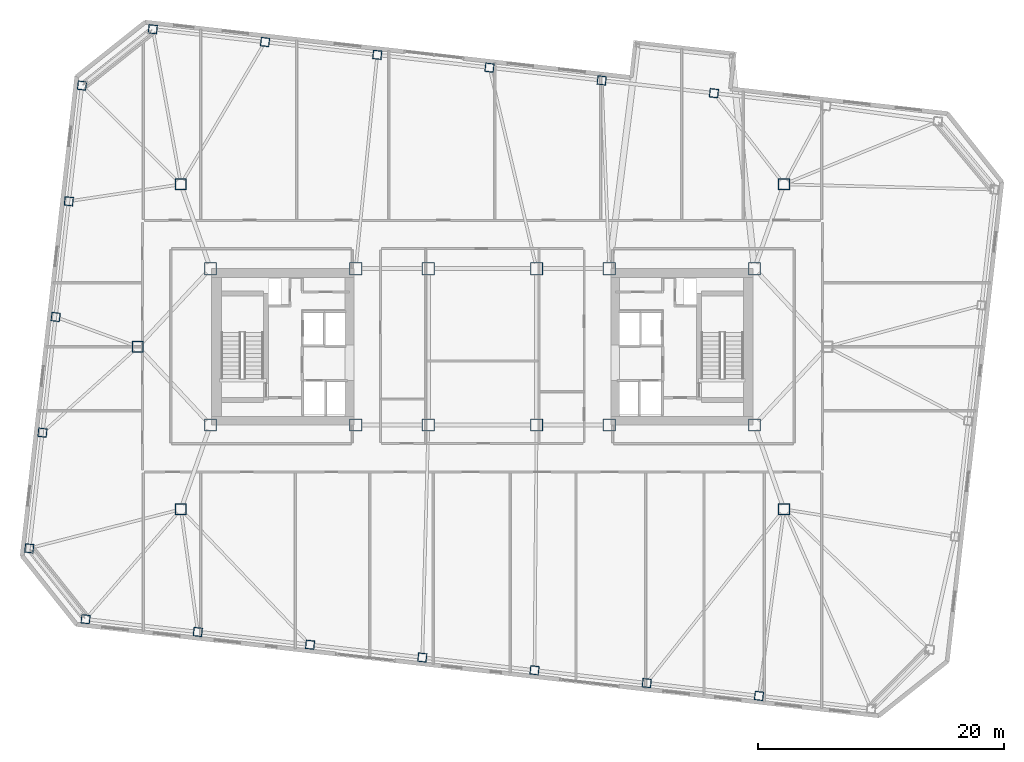
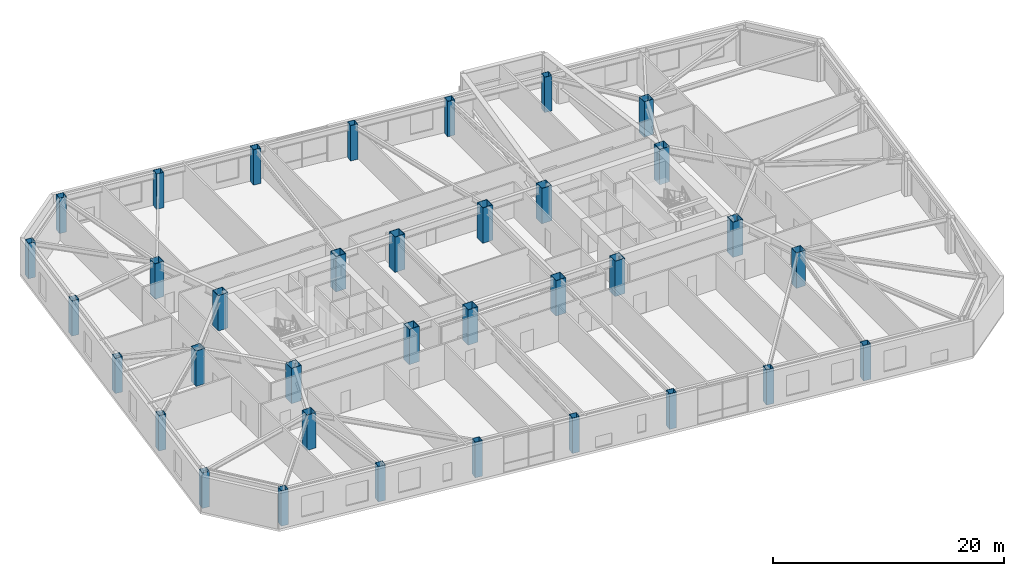
# One storey, part 1 of 22: 35 columns.
"""IFC4 building model written with IfcOpenShell, lengths in metres."""

import ifcopenshell
import ifcopenshell.guid

model = None  # the IFC model being written
_history = None  # IfcOwnerHistory: only IFC2X3 demands one
_inside = {}  # id of a spatial element -> (the spatial element, [elements in it])
_under = {}  # id of a project, library or spatial element -> (it, [spatial elements below it])
_declared = {}  # id of a project -> (the project, [libraries it declares])
_typed = {}  # id of a type object -> (the type object, [elements of that type])
_made_of = {}  # id of a material, layer set ... -> (it, [elements and type objects made of it])


def new_model(schema):
    """Start an empty IFC model of exactly this schema.

    Asked for "IFC4X3", IfcOpenShell would pick the latest addendum, in which some entities
    have other attributes; the version numbers below select the first issue.
    IFC2X3 requires an IfcOwnerHistory on every rooted entity: one is made here for all.
    """
    global model, _history
    if schema == "IFC4X3":
        model = ifcopenshell.file(schema_version=(4, 3, 0, 0))
    else:
        model = ifcopenshell.file(schema=schema)
    _inside.clear()
    _under.clear()
    _declared.clear()
    _typed.clear()
    _made_of.clear()
    _history = None
    if model.schema == "IFC2X3":
        org = make("IfcOrganization", Name="unknown")
        user = make(
            "IfcPersonAndOrganization",
            ThePerson=make("IfcPerson", FamilyName="unknown"),
            TheOrganization=org,
        )
        app = make(
            "IfcApplication",
            ApplicationDeveloper=org,
            Version="unknown",
            ApplicationFullName="unknown",
            ApplicationIdentifier="unknown",
        )
        _history = make(
            "IfcOwnerHistory",
            OwningUser=user,
            OwningApplication=app,
            ChangeAction="ADDED",
            CreationDate=0,
        )
    return model


def make(cls, **values):
    """One entity of the class cls with the attributes given. An attribute that is None is left unset."""
    return model.create_entity(
        cls, **{name: value for name, value in values.items() if value is not None}
    )


def rooted(cls, **values):
    """An entity with a GlobalId (a new one), such as an element, a storey or a relation."""
    return make(cls, GlobalId=ifcopenshell.guid.new(), OwnerHistory=_history, **values)


def si_unit(unit_type, name, prefix=None):
    """IfcSIUnit, for example si_unit("LENGTHUNIT", "METRE", prefix="MILLI")."""
    return make("IfcSIUnit", UnitType=unit_type, Prefix=prefix, Name=name)


def assignment(units):
    """IfcUnitAssignment: the units of a project."""
    return None if units is None else make("IfcUnitAssignment", Units=units)


def point(xyz):
    """IfcCartesianPoint."""
    return None if xyz is None else make("IfcCartesianPoint", Coordinates=xyz)


def direction(xyz):
    """IfcDirection."""
    return None if xyz is None else make("IfcDirection", DirectionRatios=xyz)


def frame(location, z_axis=None, x_axis=None):
    """IfcAxis2Placement3D, a coordinate frame: its origin and axes. An axis left out is left unset."""
    return make(
        "IfcAxis2Placement3D",
        Location=point(location),
        Axis=direction(z_axis),
        RefDirection=direction(x_axis),
    )


def frame_2d(location, x_axis=None):
    """IfcAxis2Placement2D, a coordinate frame in the plane: its origin and x axis."""
    return make(
        "IfcAxis2Placement2D", Location=point(location), RefDirection=direction(x_axis)
    )


def origin():
    """The frame at (0, 0, 0) with its axes left unset."""
    return frame((0.0, 0.0, 0.0))


def origin_2d():
    """The frame at (0, 0) in the plane with its x axis left unset."""
    return frame_2d((0.0, 0.0))


def place(relative_to, where):
    """IfcLocalPlacement: puts the frame where relative to a parent placement (None: the world)."""
    return make(
        "IfcLocalPlacement", PlacementRelTo=relative_to, RelativePlacement=where
    )


def context(
    kind, dimensions, precision=None, world=None, true_north=None, identifier=None
):
    """IfcGeometricRepresentationContext, for example the 3D "Model" context."""
    return make(
        "IfcGeometricRepresentationContext",
        ContextIdentifier=identifier,
        ContextType=kind,
        CoordinateSpaceDimension=dimensions,
        Precision=precision,
        WorldCoordinateSystem=world,
        TrueNorth=true_north,
    )


def subcontext(parent, identifier, kind, view, scale=None):
    """IfcGeometricRepresentationSubContext, for example "Body" below "Model"."""
    return make(
        "IfcGeometricRepresentationSubContext",
        ContextIdentifier=identifier,
        ContextType=kind,
        ParentContext=parent,
        TargetScale=scale,
        TargetView=view,
    )


def project(units=None, contexts=None):
    """IfcProject with its units and contexts."""
    return rooted(
        "IfcProject",
        Name="project",
        RepresentationContexts=contexts,
        UnitsInContext=assignment(units),
    )


def spatial(cls, under=None, at=None, **own):
    """A site, building, storey or space (cls), placed at a placement, below another one or the project."""
    s = rooted(cls, ObjectPlacement=at, **own)
    if under is not None:
        _under.setdefault(under.id(), (under, []))[1].append(s)
    return s


def profile(cls, at=None, kind="AREA", **sizes):
    """A parametric profile (cls). Its sizes go by their IFC names, for example OverallWidth=200.0."""
    return make(cls, ProfileType=kind, Position=at, **sizes)


def hollow_rectangle(**sizes):
    """IfcRectangleHollowProfileDef."""
    return profile("IfcRectangleHollowProfileDef", **sizes)


def extrude(swept, where, along, depth):
    """IfcExtrudedAreaSolid: the profile swept, set in the frame where, extruded along a direction by depth."""
    return make(
        "IfcExtrudedAreaSolid",
        SweptArea=swept,
        Position=where,
        ExtrudedDirection=direction(along),
        Depth=depth,
    )


def shape(context_of_items, identifier, shape_type, items):
    """IfcShapeRepresentation: the items that make up one representation, for example the "Body"."""
    return make(
        "IfcShapeRepresentation",
        ContextOfItems=context_of_items,
        RepresentationIdentifier=identifier,
        RepresentationType=shape_type,
        Items=items,
    )


def material(Name=None, Category=None):
    """IfcMaterial."""
    return make("IfcMaterial", Name=Name, Category=Category)


def material_profile(
    of_material, cross_section, Name=None, Category=None, Priority=None
):
    """IfcMaterialProfile: a cross section and its material."""
    return make(
        "IfcMaterialProfile",
        Name=Name,
        Material=of_material,
        Profile=cross_section,
        Priority=Priority,
        Category=Category,
    )


def profile_set(profiles, Name=None, composite=None):
    """IfcMaterialProfileSet."""
    return make(
        "IfcMaterialProfileSet",
        Name=Name,
        MaterialProfiles=profiles,
        CompositeProfile=composite,
    )


def made_of(thing, what):
    """Note that an element or type object is made of a material, layer set ...; save() writes the relation."""
    if what is not None:
        _made_of.setdefault(what.id(), (what, []))[1].append(thing)
    return thing


def type_object(cls, material=None, **own):
    """A type object (cls), such as IfcWallType, which elements share."""
    return made_of(rooted(cls, **own), material)


def element(
    cls,
    number,
    at=None,
    inside=None,
    cuts=None,
    type_object=None,
    material=None,
    context=None,
    identifier="Body",
    shape_type=None,
    held_by="IfcProductDefinitionShape",
    body=None,
    shapes=None,
    **own,
):
    """One element of the class cls, such as IfcWall. Its Tag is "e" and its number.

    at: its placement. inside: the storey or other place that contains it. cuts: it is an
    opening in that element (IfcRelVoidsElement). A single representation is given by context,
    identifier, shape_type and body (its items); several are given by shapes. held_by: the class
    of the entity that holds the representations. save() writes the other relations.
    """
    e = rooted(cls, Tag="e%d" % number, ObjectPlacement=at, **own)
    if body is not None:
        shapes = [shape(context, identifier, shape_type, body)]
    if shapes is not None:
        e.Representation = make(held_by, Representations=shapes)
    if inside is not None:
        _inside.setdefault(inside.id(), (inside, []))[1].append(e)
    if cuts is not None:
        rooted(
            "IfcRelVoidsElement", RelatingBuildingElement=cuts, RelatedOpeningElement=e
        )
    if type_object is not None:
        _typed.setdefault(type_object.id(), (type_object, []))[1].append(e)
    return made_of(e, material)


def aggregate(whole, parts):
    """IfcRelAggregates: a whole, such as a stair, and the parts it consists of."""
    return rooted("IfcRelAggregates", RelatingObject=whole, RelatedObjects=parts)


def save(model, path):
    """Write the relations noted so far, then the file.

    IfcRelAggregates (storeys below a building ...), IfcRelContainedInSpatialStructure (elements
    in a storey), IfcRelDefinesByType, IfcRelAssociatesMaterial and IfcRelDeclares: one each for
    every whole, place, type object, material and project.
    """
    for whole, parts in _under.values():
        aggregate(whole, parts)
    for where, things in _inside.values():
        rooted(
            "IfcRelContainedInSpatialStructure",
            RelatedElements=things,
            RelatingStructure=where,
        )
    for kind, things in _typed.values():
        rooted("IfcRelDefinesByType", RelatedObjects=things, RelatingType=kind)
    for what, things in _made_of.values():
        rooted("IfcRelAssociatesMaterial", RelatedObjects=things, RelatingMaterial=what)
    for by, libraries in _declared.values():
        rooted("IfcRelDeclares", RelatingContext=by, RelatedDefinitions=libraries)
    model.write(path)


model = new_model("IFC4")

# Units and contexts
model_context = context("Model", 3, precision=1e-05, world=origin(), true_north=direction((0.0, 1.0)))
body_context = subcontext(model_context, "Body", "Model", "MODEL_VIEW")
ifc_project = project(units=[si_unit("LENGTHUNIT", "METRE"), si_unit("AREAUNIT", "SQUARE_METRE"), si_unit("VOLUMEUNIT", "CUBIC_METRE"), si_unit("PLANEANGLEUNIT", "RADIAN"), si_unit("MASSUNIT", "GRAM", prefix="KILO")], contexts=[model_context])

# Site, building, storey
site_placement = place(None, origin())
site = spatial("IfcSite", under=ifc_project, at=site_placement, CompositionType="ELEMENT")
building_placement = place(site_placement, origin())
building = spatial("IfcBuilding", under=site, at=building_placement, Name="Tavrogorsk Clinical Tower", CompositionType="ELEMENT")
storey_placement = place(building_placement, frame((0.0, 0.0, 117.39990234375)))
storey = spatial("IfcBuildingStorey", under=building, at=storey_placement, Name="L26", CompositionType="ELEMENT", Elevation=117.39990234375)

# Columns
ifc_material_1 = material(Name="Structural steel S440", Category="steel")
ifc_material_profile_1 = material_profile(ifc_material_1, hollow_rectangle(XDim=1.0, YDim=1.0, WallThickness=0.044921875, at=origin_2d()), Name="BOX-1000x1000x45")
ifc_profile_set_1 = profile_set([ifc_material_profile_1], Name="Structural steel S440")
column_type_1 = type_object("IfcColumnType", Name="MegaCol_BOX1000", PredefinedType="COLUMN", material=ifc_profile_set_1)
for number, where, z_axis, x_axis, name in (
    (1, (-22.10009765625, -6.35009765625, 0.0), (0.0, 0.0, 1.0), (1.0, 0.0, 0.0), "L26 Mega Column MC-W1"),
    (2, (-22.10009765625, 6.35009765625, 0.0), (0.0, 0.0, 1.0), (1.0, 0.0, 0.0), "L26 Mega Column MC-W2"),
    (3, (-10.300048828125, -6.35009765625, 0.0), (0.0, 0.0, 1.0), (1.0, 0.0, 0.0), "L26 Mega Column MC-W3"),
    (4, (-10.300048828125, 6.35009765625, 0.0), (0.0, 0.0, 1.0), (1.0, 0.0, 0.0), "L26 Mega Column MC-W4"),
    (5, (10.300048828125, -6.35009765625, 0.0), (0.0, 0.0, 1.0), (1.0, 0.0, 0.0), "L26 Mega Column MC-E1"),
    (6, (10.300048828125, 6.35009765625, 0.0), (0.0, 0.0, 1.0), (1.0, 0.0, 0.0), "L26 Mega Column MC-E2"),
    (7, (22.10009765625, -6.35009765625, 0.0), (0.0, 0.0, 1.0), (1.0, 0.0, 0.0), "L26 Mega Column MC-E3"),
    (8, (22.10009765625, 6.35009765625, 0.0), (0.0, 0.0, 1.0), (1.0, 0.0, 0.0), "L26 Mega Column MC-E4"),
    (9, (-4.39990234375, -6.35009765625, 0.0), (0.0, 0.0, 1.0), (1.0, 0.0, 0.0), "L26 Mega Column MC-C1"),
    (10, (4.39990234375, -6.35009765625, 0.0), (0.0, 0.0, 1.0), (1.0, 0.0, 0.0), "L26 Mega Column MC-C2"),
    (11, (-4.39990234375, 6.35009765625, 0.0), (0.0, 0.0, 1.0), (1.0, 0.0, 0.0), "L26 Mega Column MC-C3"),
    (12, (4.39990234375, 6.35009765625, 0.0), (0.0, 0.0, 1.0), (1.0, 0.0, 0.0), "L26 Mega Column MC-C4"),
):
    element("IfcColumn", number, at=place(storey_placement, frame(where, z_axis=z_axis, x_axis=x_axis)), inside=storey, type_object=column_type_1, Name=name, PredefinedType="COLUMN", context=body_context, shape_type="SweptSolid", body=[
        extrude(hollow_rectangle(XDim=1.0, YDim=1.0, WallThickness=0.044921875, at=origin_2d()), origin(), (0.0, 0.0, 1.0), 3.739990234375),
    ])
ifc_material_2 = material(Name="Structural steel S440", Category="steel")
ifc_material_profile_2 = material_profile(ifc_material_2, hollow_rectangle(XDim=0.89990234375, YDim=0.89990234375, WallThickness=0.0400390625, at=origin_2d()), Name="BOX-900x900x40")
ifc_profile_set_2 = profile_set([ifc_material_profile_2], Name="Structural steel S440")
column_type_2 = type_object("IfcColumnType", Name="MegaCol_BOX900", PredefinedType="COLUMN", material=ifc_profile_set_2)
for number, where, z_axis, x_axis, name in (
    (13, (-24.5, -13.199951171875, 0.0), (0.0, 0.0, 1.0), (1.0, 0.0, 0.0), "L26 Spine Pilotis Column MC-P1"),
    (14, (24.5, -13.199951171875, 0.0), (0.0, 0.0, 1.0), (1.0, 0.0, 0.0), "L26 Spine Pilotis Column MC-P2"),
    (15, (-24.5, 13.199951171875, 0.0), (0.0, 0.0, 1.0), (1.0, 0.0, 0.0), "L26 Spine Pilotis Column MC-P3"),
    (16, (24.5, 13.199951171875, 0.0), (0.0, 0.0, 1.0), (1.0, 0.0, 0.0), "L26 Spine Pilotis Column MC-P4"),
    (17, (-28.0, 0.0, 0.0), (0.0, 0.0, 1.0), (1.0, 0.0, 0.0), "L26 Spine Pilotis Column MC-P5"),
):
    element("IfcColumn", number, at=place(storey_placement, frame(where, z_axis=z_axis, x_axis=x_axis)), inside=storey, type_object=column_type_2, Name=name, PredefinedType="COLUMN", context=body_context, shape_type="SweptSolid", body=[
        extrude(hollow_rectangle(XDim=0.89990234375, YDim=0.89990234375, WallThickness=0.0400390625, at=origin_2d()), origin(), (0.0, 0.0, 1.0), 3.739990234375),
    ])
ifc_material_3 = material(Name="Structural steel S440", Category="steel")
ifc_material_profile_3 = material_profile(ifc_material_3, hollow_rectangle(XDim=0.699951171875, YDim=0.699951171875, WallThickness=0.031982421875, at=origin_2d()), Name="BOX-700x700x32")
ifc_profile_set_3 = profile_set([ifc_material_profile_3], Name="Structural steel S440")
column_type_3 = type_object("IfcColumnType", Name="PerimCol_B2_BOX700", PredefinedType="COLUMN", material=ifc_profile_set_3)
for number, where, z_axis, x_axis, name in (
    (18, (-32.243896484375, -22.12890625, 0.0), (0.0, 0.0, 1.0), (0.993571855677, -0.113203213768, 0.0), "L26 Perimeter Column S1"),
    (19, (-23.1259765625, -23.167724609375, 0.0), (0.0, 0.0, 1.0), (0.993571855677, -0.113203213768, 0.0), "L26 Perimeter Column S2"),
    (20, (-14.0078125, -24.20654296875, 0.0), (0.0, 0.0, 1.0), (0.993571855677, -0.113203213768, 0.0), "L26 Perimeter Column S3"),
    (21, (-4.8896484375, -25.24560546875, 0.0), (0.0, 0.0, 1.0), (0.993571855677, -0.113203213768, 0.0), "L26 Perimeter Column S4"),
    (22, (4.228515625, -26.284423828125, 0.0), (0.0, 0.0, 1.0), (0.993571855677, -0.113203213768, 0.0), "L26 Perimeter Column S5"),
    (23, (13.3466796875, -27.3232421875, 0.0), (0.0, 0.0, 1.0), (0.993571855677, -0.113203213768, 0.0), "L26 Perimeter Column S6"),
    (24, (22.465087890625, -28.3623046875, 0.0), (0.0, 0.0, 1.0), (0.993571855677, -0.113203213768, 0.0), "L26 Perimeter Column S7"),
    (25, (18.8076171875, 20.606689453125, 0.0), (0.0, 0.0, 1.0), (0.993571855677, -0.113203213768, 0.0), "L26 Perimeter Column N3"),
    (26, (9.689697265625, 21.6455078125, 0.0), (0.0, 0.0, 1.0), (0.993571855677, -0.113203213768, 0.0), "L26 Perimeter Column N4"),
    (27, (0.5712890625, 22.684326171875, 0.0), (0.0, 0.0, 1.0), (0.993571855677, -0.113203213768, 0.0), "L26 Perimeter Column N5"),
    (28, (-8.546875, 23.723388671875, 0.0), (0.0, 0.0, 1.0), (0.993571855677, -0.113203213768, 0.0), "L26 Perimeter Column N6"),
    (29, (-17.6650390625, 24.76220703125, 0.0), (0.0, 0.0, 1.0), (0.993571855677, -0.113203213768, 0.0), "L26 Perimeter Column N7"),
    (30, (-26.783203125, 25.801025390625, 0.0), (0.0, 0.0, 1.0), (0.993571855677, -0.113203213768, 0.0), "L26 Perimeter Column N8"),
    (31, (-32.538330078125, 21.22314453125, 0.0), (0.0, 0.0, 1.0), (0.993571855677, -0.113203213768, 0.0), "L26 Perimeter Column W1"),
    (32, (-33.609130859375, 11.823974609375, 0.0), (0.0, 0.0, 1.0), (0.993571855677, -0.113203213768, 0.0), "L26 Perimeter Column W2"),
    (33, (-34.68017578125, 2.4248046875, 0.0), (0.0, 0.0, 1.0), (0.993571855677, -0.113203213768, 0.0), "L26 Perimeter Column W3"),
    (34, (-35.7509765625, -6.974365234375, 0.0), (0.0, 0.0, 1.0), (0.993571855677, -0.113203213768, 0.0), "L26 Perimeter Column W4"),
    (35, (-36.822021484375, -16.37353515625, 0.0), (0.0, 0.0, 1.0), (0.993571855677, -0.113203213768, 0.0), "L26 Perimeter Column W5"),
):
    element("IfcColumn", number, at=place(storey_placement, frame(where, z_axis=z_axis, x_axis=x_axis)), inside=storey, type_object=column_type_3, Name=name, PredefinedType="COLUMN", context=body_context, shape_type="SweptSolid", body=[
        extrude(hollow_rectangle(XDim=0.699951171875, YDim=0.699951171875, WallThickness=0.031982421875, at=origin_2d()), origin(), (0.0, 0.0, 1.0), 3.739990234375),
    ])

save(model, "model.ifc")
